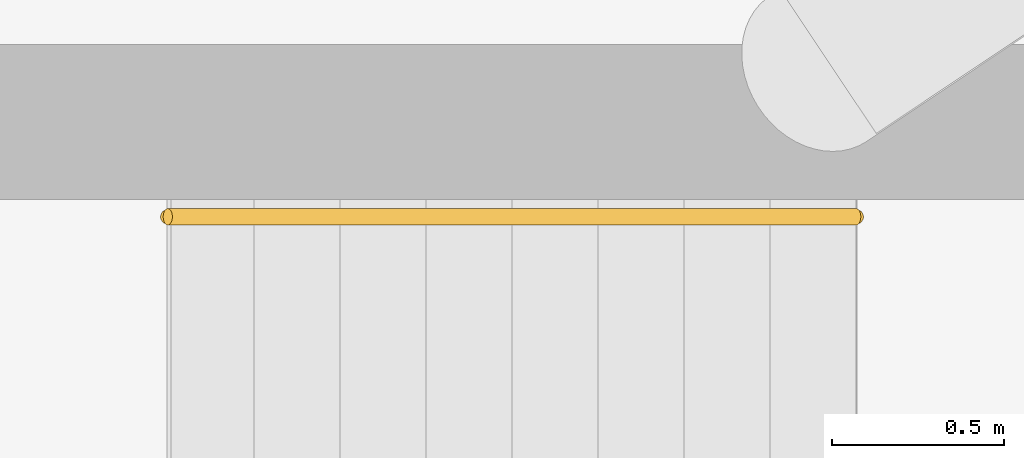
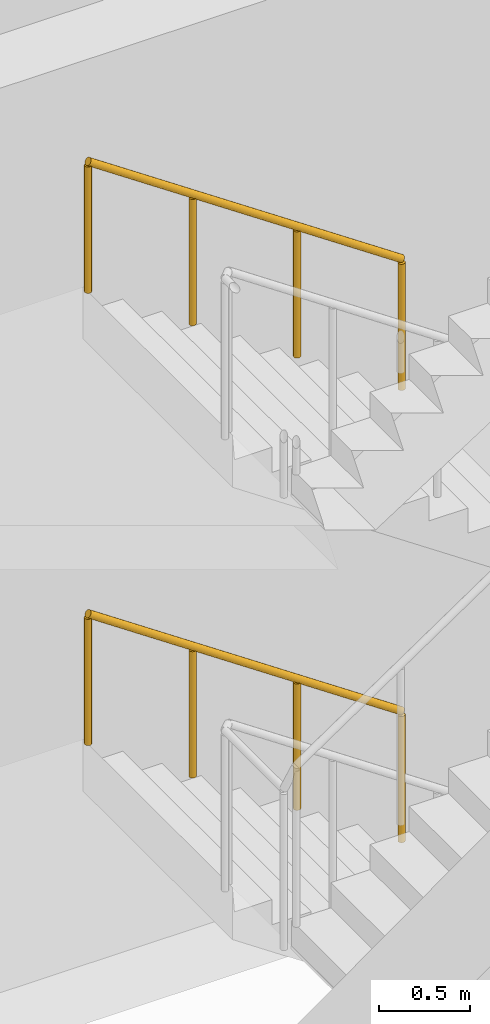
# One storey, part 24 of 24: 2 railings.
"""IFC4 building model written with IfcOpenShell, lengths in metres."""

from ifc_helpers import new_model, si_unit, direction, frame, origin, origin_2d, place, context, subcontext, project, spatial, circle, extrude, material, type_object, element, save


model = new_model("IFC4")

# Units and contexts
model_context = context("Model", 3, precision=1e-05, world=origin(), true_north=direction((0.0, 1.0)))
body_context = subcontext(model_context, "Body", "Model", "MODEL_VIEW")
ifc_project = project(units=[si_unit("LENGTHUNIT", "METRE"), si_unit("AREAUNIT", "SQUARE_METRE"), si_unit("VOLUMEUNIT", "CUBIC_METRE"), si_unit("PLANEANGLEUNIT", "RADIAN"), si_unit("MASSUNIT", "GRAM", prefix="KILO")], contexts=[model_context])

# Site, building, storey
site_placement = place(None, origin())
site = spatial("IfcSite", under=ifc_project, at=site_placement, CompositionType="ELEMENT")
building_placement = place(site_placement, origin())
building = spatial("IfcBuilding", under=site, at=building_placement, Name="Maasbend Ring Residences", CompositionType="ELEMENT")
storey_placement = place(building_placement, frame((0.0, 0.0, 221.85009765625)))
storey = spatial("IfcBuildingStorey", under=building, at=storey_placement, Name="L64", CompositionType="ELEMENT", Elevation=221.85009765625)

# Railings
ifc_material = material(Name="Stainless steel 316", Category="steel")
railing_type = type_object("IfcRailingType", Name="STAIR HANDRAIL 900", PredefinedType="HANDRAIL", material=ifc_material)
railing_1_placement = place(storey_placement, frame((13.550048828125, 8.550048828125, 0.16943359375)))
element("IfcRailing", 1, at=railing_1_placement, inside=storey, type_object=railing_type, Name="L64 ST-E1 stair handrail 1", PredefinedType="HANDRAIL", context=body_context, shape_type="SweptSolid", body=[
    extrude(circle(Radius=0.02392578125, at=origin_2d()), frame((0.0, 0.0, 0.8759765625), z_axis=(-0.827797584762, 0.0, 0.561026878735), x_axis=(0.0, -1.0, 0.0)), (0.0, 0.0, 1.0), 2.416015625),
    extrude(circle(Radius=0.02099609375, at=origin_2d()), origin(), (0.0, 0.0, 1.0), 0.851806640625),
    extrude(circle(Radius=0.02099609375, at=origin_2d()), frame((-0.666748046875, 0.0, 0.451904296875)), (0.0, 0.0, 1.0), 0.851806640625),
    extrude(circle(Radius=0.02099609375, at=origin_2d()), frame((-1.333251953125, 0.0, 0.903564453125)), (0.0, 0.0, 1.0), 0.851806640625),
    extrude(circle(Radius=0.02099609375, at=origin_2d()), frame((-2.0, 0.0, 1.35546875)), (0.0, 0.0, 1.0), 0.851806640625),
])
railing_2_placement = place(storey_placement, frame((13.550048828125, 8.550048828125, 3.21923828125)))
element("IfcRailing", 2, at=railing_2_placement, inside=storey, type_object=railing_type, Name="L64 ST-E1 stair handrail 3", PredefinedType="HANDRAIL", context=body_context, shape_type="SweptSolid", body=[
    extrude(circle(Radius=0.02392578125, at=origin_2d()), frame((0.0, 0.0, 0.8759765625), z_axis=(-0.827750655447, 0.0, 0.561096116906), x_axis=(0.0, -1.0, 0.0)), (0.0, 0.0, 1.0), 2.416259765625),
    extrude(circle(Radius=0.02099609375, at=origin_2d()), origin(), (0.0, 0.0, 1.0), 0.851806640625),
    extrude(circle(Radius=0.02099609375, at=origin_2d()), frame((-0.666748046875, 0.0, 0.451904296875)), (0.0, 0.0, 1.0), 0.851806640625),
    extrude(circle(Radius=0.02099609375, at=origin_2d()), frame((-1.333251953125, 0.0, 0.90380859375)), (0.0, 0.0, 1.0), 0.851806640625),
    extrude(circle(Radius=0.02099609375, at=origin_2d()), frame((-2.0, 0.0, 1.355712890625)), (0.0, 0.0, 1.0), 0.851806640625),
])

save(model, "model.ifc")
